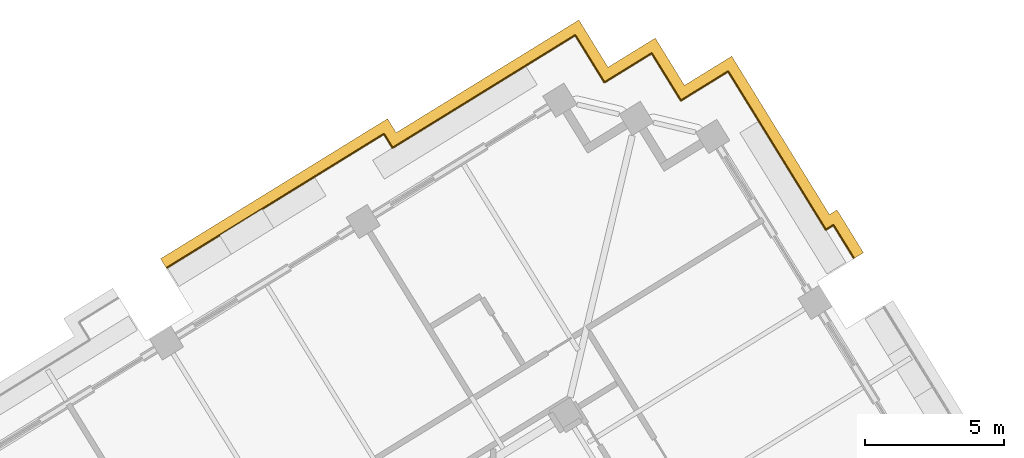
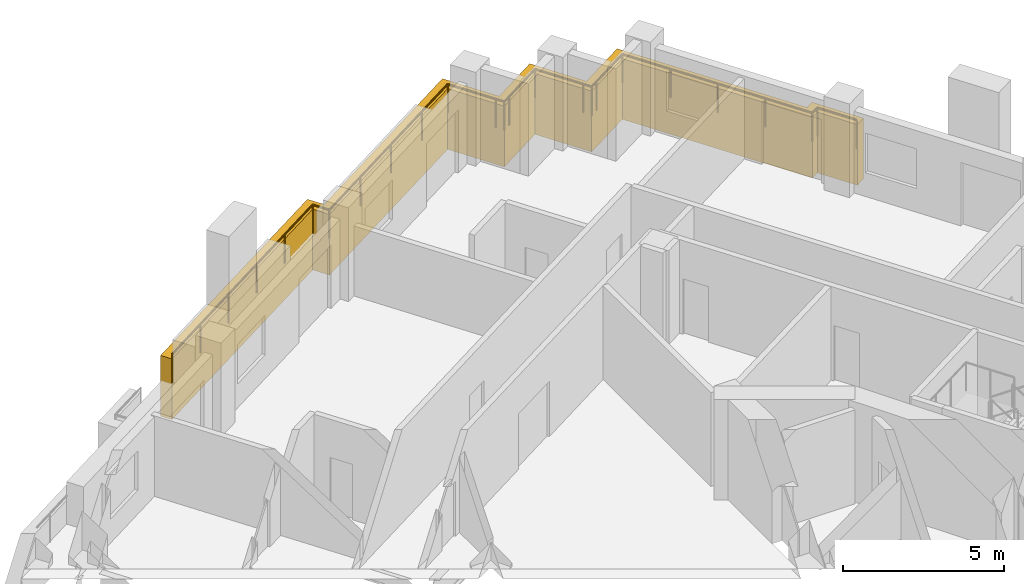
# One storey, part 19 of 20: 2 railings, 1 covering.
"""IFC4 building model written with IfcOpenShell, lengths in metres."""

from ifc_helpers import new_model, si_unit, direction, frame, origin, origin_2d, place, context, subcontext, project, spatial, polyline, circle, outline, extrude, material, type_object, element, save


model = new_model("IFC4")

# Units and contexts
model_context = context("Model", 3, precision=1e-05, world=origin(), true_north=direction((0.0, 1.0)))
body_context = subcontext(model_context, "Body", "Model", "MODEL_VIEW")
ifc_project = project(units=[si_unit("LENGTHUNIT", "METRE"), si_unit("AREAUNIT", "SQUARE_METRE"), si_unit("VOLUMEUNIT", "CUBIC_METRE"), si_unit("PLANEANGLEUNIT", "RADIAN"), si_unit("MASSUNIT", "GRAM", prefix="KILO")], contexts=[model_context])

# Site, building, storey
site_placement = place(None, origin())
site = spatial("IfcSite", under=ifc_project, at=site_placement, CompositionType="ELEMENT")
building_placement = place(site_placement, origin())
building = spatial("IfcBuilding", under=site, at=building_placement, Name="Cantera Rosa Tower", CompositionType="ELEMENT")
storey_placement = place(building_placement, frame((0.0, 0.0, 159.0)))
storey = spatial("IfcBuildingStorey", under=building, at=storey_placement, Name="L34", CompositionType="ELEMENT", Elevation=159.0)

# Railings
ifc_material_1 = material(Name="Stainless steel and laminated glass", Category="steel")
railing_type = type_object("IfcRailingType", Name="GUARD 1100", PredefinedType="BALUSTRADE", material=ifc_material_1)
railing_1_placement = place(storey_placement, frame((12.44873046875, 30.2958984375, 0.0)))
element("IfcRailing", 1, at=railing_1_placement, inside=storey, type_object=railing_type, Name="GUARD L34-13", PredefinedType="BALUSTRADE", context=body_context, shape_type="SweptSolid", body=[
    extrude(circle(Radius=0.030029296875, at=origin_2d()), frame((0.0, 0.0, 1.070068359375), z_axis=(0.524994468487, -0.851105638601, 0.0), x_axis=(0.851105638601, 0.524994468487, 0.0)), (0.0, 0.0, 1.0), 1.7001953125),
    extrude(circle(Radius=0.030029296875, at=origin_2d()), frame((0.892578125, -1.447021484375, 1.070068359375), z_axis=(0.524980117429, -0.851114490715, 0.0), x_axis=(0.851114490715, 0.524980117429, 0.0)), (0.0, 0.0, 1.0), 4.998291015625),
    extrude(circle(Radius=0.030029296875, at=origin_2d()), frame((3.5166015625, -5.701171875, 1.070068359375), z_axis=(0.851266981661, 0.524732813852, 0.0), x_axis=(-0.524732813852, 0.851266981661, 0.0)), (0.0, 0.0, 1.0), 0.321533203125),
    extrude(circle(Radius=0.030029296875, at=origin_2d()), frame((3.790283203125, -5.532470703125, 1.070068359375), z_axis=(0.524958614505, -0.851127753664, 0.0), x_axis=(0.851127753664, 0.524958614505, 0.0)), (0.0, 0.0, 1.0), 1.391357421875),
    extrude(circle(Radius=0.02490234375, at=origin_2d()), origin(), (0.0, 0.0, 1.0), 1.0400390625),
    extrude(circle(Radius=0.02490234375, at=origin_2d()), frame((0.892578125, -1.447021484375, 0.0)), (0.0, 0.0, 1.0), 1.0400390625),
    extrude(circle(Radius=0.02490234375, at=origin_2d()), frame((1.767333984375, -2.864990234375, 0.0)), (0.0, 0.0, 1.0), 1.0400390625),
    extrude(circle(Radius=0.02490234375, at=origin_2d()), frame((2.641845703125, -4.283203125, 0.0)), (0.0, 0.0, 1.0), 1.0400390625),
    extrude(circle(Radius=0.02490234375, at=origin_2d()), frame((3.5166015625, -5.701171875, 0.0)), (0.0, 0.0, 1.0), 1.0400390625),
    extrude(circle(Radius=0.02490234375, at=origin_2d()), frame((3.790283203125, -5.532470703125, 0.0)), (0.0, 0.0, 1.0), 1.0400390625),
    extrude(circle(Radius=0.02490234375, at=origin_2d()), frame((4.520751953125, -6.716796875, 0.0)), (0.0, 0.0, 1.0), 1.0400390625),
])
railing_2_placement = place(storey_placement, frame((-7.758056640625, 23.225830078125, 0.0)))
element("IfcRailing", 2, at=railing_2_placement, inside=storey, type_object=railing_type, Name="GUARD L34-14", PredefinedType="BALUSTRADE", context=body_context, shape_type="SweptSolid", body=[
    extrude(circle(Radius=0.030029296875, at=origin_2d()), frame((0.0, 0.0, 1.070068359375), z_axis=(0.851116410295, 0.524977005331, 0.0), x_axis=(-0.524977005331, 0.851116410295, 0.0)), (0.0, 0.0, 1.0), 9.1806640625),
    extrude(circle(Radius=0.030029296875, at=origin_2d()), frame((7.813720703125, 4.819580078125, 1.070068359375), z_axis=(0.525272898225, -0.850933829619, 0.0), x_axis=(0.850933829619, 0.525272898225, 0.0)), (0.0, 0.0, 1.0), 0.5908203125),
    extrude(circle(Radius=0.030029296875, at=origin_2d()), frame((8.1240234375, 4.31689453125, 1.070068359375), z_axis=(0.851111466066, 0.524985021054, 0.0), x_axis=(-0.524985021054, 0.851111466066, 0.0)), (0.0, 0.0, 1.0), 6.029296875),
    extrude(circle(Radius=0.030029296875, at=origin_2d()), frame((13.255615234375, 7.482177734375, 1.070068359375), z_axis=(0.851130227454, 0.524954603669, 0.0), x_axis=(-0.524954603669, 0.851130227454, 0.0)), (0.0, 0.0, 1.0), 1.699951171875),
    extrude(circle(Radius=0.030029296875, at=origin_2d()), frame((14.702392578125, 8.37451171875, 1.070068359375), z_axis=(0.525058638144, -0.851066052965, 0.0), x_axis=(0.851066052965, 0.525058638144, 0.0)), (0.0, 0.0, 1.0), 1.699951171875),
    extrude(circle(Radius=0.030029296875, at=origin_2d()), frame((15.594970703125, 6.927734375, 1.070068359375), z_axis=(0.524869051004, -0.85118298814, 0.0), x_axis=(0.85118298814, 0.524869051004, 0.0)), (0.0, 0.0, 1.0), 0.300048828125),
    extrude(circle(Radius=0.030029296875, at=origin_2d()), frame((15.75244140625, 6.67236328125, 1.070068359375), z_axis=(0.85118298814, 0.524869051004, 0.0), x_axis=(-0.524869051004, 0.85118298814, 0.0)), (0.0, 0.0, 1.0), 0.300048828125),
    extrude(circle(Radius=0.030029296875, at=origin_2d()), frame((16.0078125, 6.829833984375, 1.070068359375), z_axis=(0.851066052965, 0.525058638144, 0.0), x_axis=(-0.525058638144, 0.851066052965, 0.0)), (0.0, 0.0, 1.0), 1.699951171875),
    extrude(circle(Radius=0.030029296875, at=origin_2d()), frame((17.45458984375, 7.722412109375, 1.070068359375), z_axis=(0.524994468487, -0.851105638601, 0.0), x_axis=(0.851105638601, 0.524994468487, 0.0)), (0.0, 0.0, 1.0), 1.7001953125),
    extrude(circle(Radius=0.030029296875, at=origin_2d()), frame((18.34716796875, 6.275390625, 1.070068359375), z_axis=(0.524869051004, -0.85118298814, 0.0), x_axis=(0.85118298814, 0.524869051004, 0.0)), (0.0, 0.0, 1.0), 0.300048828125),
    extrude(circle(Radius=0.030029296875, at=origin_2d()), frame((18.504638671875, 6.02001953125, 1.070068359375), z_axis=(0.85118298814, 0.524869051004, 0.0), x_axis=(-0.524869051004, 0.85118298814, 0.0)), (0.0, 0.0, 1.0), 0.300048828125),
    extrude(circle(Radius=0.030029296875, at=origin_2d()), frame((18.760009765625, 6.177490234375, 1.070068359375), z_axis=(0.851066052965, 0.525058638144, 0.0), x_axis=(-0.525058638144, 0.851066052965, 0.0)), (0.0, 0.0, 1.0), 1.699951171875),
    extrude(circle(Radius=0.02490234375, at=origin_2d()), origin(), (0.0, 0.0, 1.0), 1.0400390625),
    extrude(circle(Radius=0.02490234375, at=origin_2d()), frame((1.562744140625, 0.9638671875, 0.0)), (0.0, 0.0, 1.0), 1.0400390625),
    extrude(circle(Radius=0.02490234375, at=origin_2d()), frame((3.12548828125, 1.927734375, 0.0)), (0.0, 0.0, 1.0), 1.0400390625),
    extrude(circle(Radius=0.02490234375, at=origin_2d()), frame((4.688232421875, 2.891845703125, 0.0)), (0.0, 0.0, 1.0), 1.0400390625),
    extrude(circle(Radius=0.02490234375, at=origin_2d()), frame((6.2509765625, 3.855712890625, 0.0)), (0.0, 0.0, 1.0), 1.0400390625),
    extrude(circle(Radius=0.02490234375, at=origin_2d()), frame((7.813720703125, 4.819580078125, 0.0)), (0.0, 0.0, 1.0), 1.0400390625),
    extrude(circle(Radius=0.02490234375, at=origin_2d()), frame((8.1240234375, 4.31689453125, 0.0)), (0.0, 0.0, 1.0), 1.0400390625),
    extrude(circle(Radius=0.02490234375, at=origin_2d()), frame((9.83447265625, 5.3720703125, 0.0)), (0.0, 0.0, 1.0), 1.0400390625),
    extrude(circle(Radius=0.02490234375, at=origin_2d()), frame((11.545166015625, 6.427001953125, 0.0)), (0.0, 0.0, 1.0), 1.0400390625),
    extrude(circle(Radius=0.02490234375, at=origin_2d()), frame((13.255615234375, 7.482177734375, 0.0)), (0.0, 0.0, 1.0), 1.0400390625),
    extrude(circle(Radius=0.02490234375, at=origin_2d()), frame((14.702392578125, 8.37451171875, 0.0)), (0.0, 0.0, 1.0), 1.0400390625),
    extrude(circle(Radius=0.02490234375, at=origin_2d()), frame((15.594970703125, 6.927734375, 0.0)), (0.0, 0.0, 1.0), 1.0400390625),
    extrude(circle(Radius=0.02490234375, at=origin_2d()), frame((15.75244140625, 6.67236328125, 0.0)), (0.0, 0.0, 1.0), 1.0400390625),
    extrude(circle(Radius=0.02490234375, at=origin_2d()), frame((16.0078125, 6.829833984375, 0.0)), (0.0, 0.0, 1.0), 1.0400390625),
    extrude(circle(Radius=0.02490234375, at=origin_2d()), frame((17.45458984375, 7.722412109375, 0.0)), (0.0, 0.0, 1.0), 1.0400390625),
    extrude(circle(Radius=0.02490234375, at=origin_2d()), frame((18.34716796875, 6.275390625, 0.0)), (0.0, 0.0, 1.0), 1.0400390625),
    extrude(circle(Radius=0.02490234375, at=origin_2d()), frame((18.504638671875, 6.02001953125, 0.0)), (0.0, 0.0, 1.0), 1.0400390625),
    extrude(circle(Radius=0.02490234375, at=origin_2d()), frame((18.760009765625, 6.177490234375, 0.0)), (0.0, 0.0, 1.0), 1.0400390625),
    extrude(circle(Radius=0.02490234375, at=origin_2d()), frame((20.206787109375, 7.070068359375, 0.0)), (0.0, 0.0, 1.0), 1.0400390625),
])

# Covering
ifc_material_2 = material(Name="Cantera stone", Category="masonry")
covering_type = type_object("IfcCoveringType", Name="TRAY FASCIA 400", PredefinedType="CLADDING", material=ifc_material_2)
covering_placement = place(storey_placement, frame((0.0, 0.0, -1.39990234375)))
element("IfcCovering", 3, at=covering_placement, inside=storey, type_object=covering_type, Name="TRAY FASCIA L34-05", PredefinedType="CLADDING", context=body_context, shape_type="SweptSolid", body=[
    extrude(outline(polyline([(0.186279296875, 28.595947265625), (0.496337890625, 28.09326171875), (5.28759765625, 31.04833984375), (7.074951171875, 32.15087890625), (8.124755859375, 30.44873046875), (9.8271484375, 31.49853515625), (10.876953125, 29.79638671875), (12.579345703125, 30.84619140625), (13.681640625, 29.05908203125), (16.095703125, 25.14501953125), (16.369384765625, 25.31396484375), (17.3203125, 23.77197265625), (16.97998046875, 23.56201171875), (16.239013671875, 24.763427734375), (15.96533203125, 24.5947265625), (13.34130859375, 28.848876953125), (12.44873046875, 30.2958984375), (11.001953125, 29.4033203125), (10.74658203125, 29.245849609375), (10.589111328125, 29.501220703125), (9.696533203125, 30.9482421875), (8.249755859375, 30.0556640625), (7.994384765625, 29.898193359375), (7.8369140625, 30.153564453125), (6.9443359375, 31.600341796875), (5.49755859375, 30.7080078125), (0.365966796875, 27.542724609375), (0.0556640625, 28.04541015625), (-7.775146484375, 23.21533203125), (-7.985107421875, 23.5556640625), (0.186279296875, 28.595947265625)])), origin(), (0.0, 0.0, 1.0), 2.2998046875),
])

save(model, "model.ifc")
